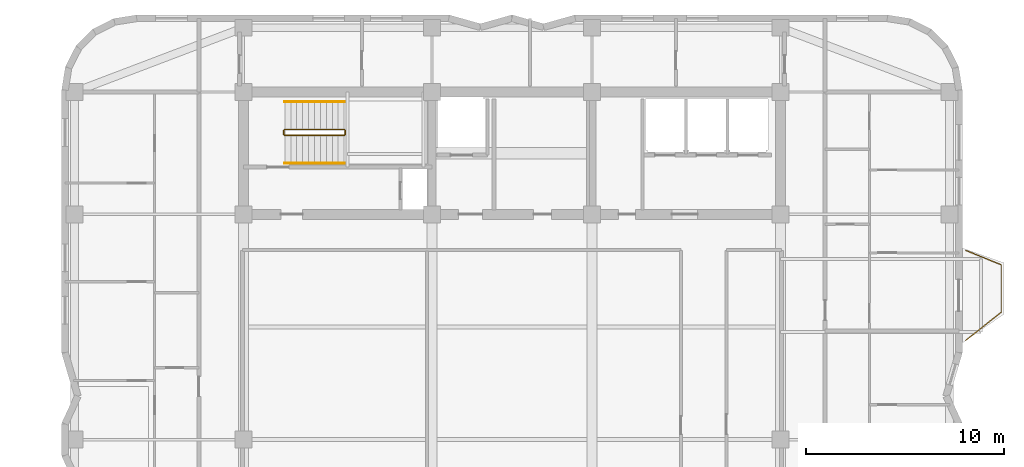
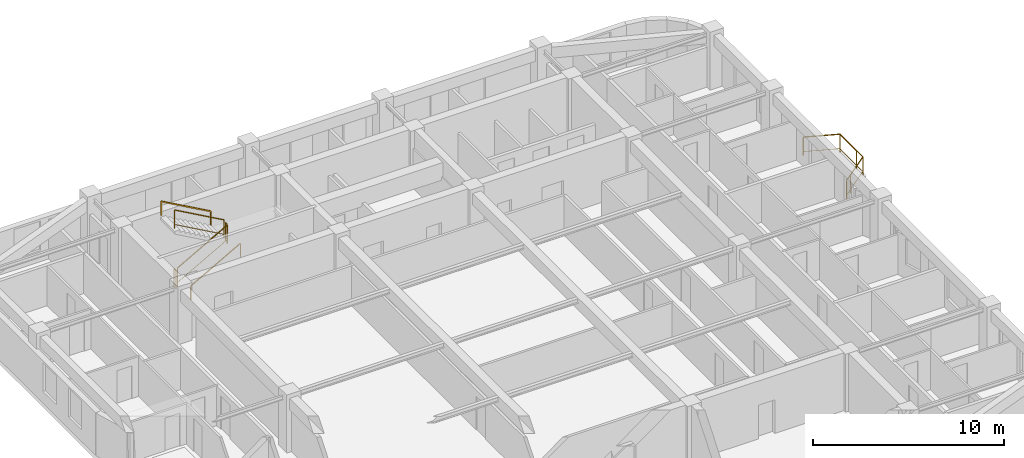
# One storey, part 9 of 9: 7 railings.
"""IFC4 building model written with IfcOpenShell, lengths in metres."""

from ifc_helpers import new_model, si_unit, direction, frame, origin, origin_2d, place, context, subcontext, project, spatial, rectangle, extrude, material, type_object, element, save


model = new_model("IFC4")

# Units and contexts
model_context = context("Model", 3, precision=1e-05, world=origin(), true_north=direction((0.0, 1.0)))
body_context = subcontext(model_context, "Body", "Model", "MODEL_VIEW")
ifc_project = project(units=[si_unit("LENGTHUNIT", "METRE"), si_unit("AREAUNIT", "SQUARE_METRE"), si_unit("VOLUMEUNIT", "CUBIC_METRE"), si_unit("PLANEANGLEUNIT", "RADIAN"), si_unit("MASSUNIT", "GRAM", prefix="KILO")], contexts=[model_context])

# Site, building, storey
site_placement = place(None, origin())
site = spatial("IfcSite", under=ifc_project, at=site_placement, CompositionType="ELEMENT")
building_placement = place(site_placement, origin())
building = spatial("IfcBuilding", under=site, at=building_placement, Name="Svetorya Sky Lyceum", CompositionType="ELEMENT")
storey_placement = place(building_placement, frame((0.0, 0.0, 214.699951171875)))
storey = spatial("IfcBuildingStorey", under=building, at=storey_placement, Name="L53", CompositionType="ELEMENT", Elevation=214.699951171875)

# Railings
ifc_material_1 = material(Name="Laminated safety glass and stainless AISI 316", Category="glass")
railing_type_1 = type_object("IfcRailingType", Name="RL-BAL-1200", PredefinedType="BALUSTRADE", material=ifc_material_1)
railing_1_placement = place(storey_placement, frame((62.169921875, 37.780029296875, 0.0)))
element("IfcRailing", 1, at=railing_1_placement, inside=storey, type_object=railing_type_1, Name="L53 Balcony Balustrade BAL-E1", PredefinedType="BALUSTRADE", context=body_context, shape_type="SweptSolid", body=[
    extrude(rectangle(XDim=0.048095703125, YDim=0.048095703125, at=origin_2d()), frame((0.0, 0.0, 1.17578125), z_axis=(0.926697865975, -0.375807218129, 0.0), x_axis=(0.375807218129, 0.926697865975, 0.0)), (0.0, 0.0, 1.0), 1.9423828125),
    extrude(rectangle(XDim=0.02392578125, YDim=0.02392578125, at=origin_2d()), frame((0.0, 0.0, 0.25), z_axis=(0.926697865975, -0.375807218129, 0.0), x_axis=(0.375807218129, 0.926697865975, 0.0)), (0.0, 0.0, 1.0), 1.9423828125),
    extrude(rectangle(XDim=0.048095703125, YDim=0.048095703125, at=origin_2d()), frame((1.800048828125, -0.72998046875, 1.17578125), z_axis=(0.0, -1.0, 0.0), x_axis=(1.0, 0.0, 0.0)), (0.0, 0.0, 1.0), 2.400146484375),
    extrude(rectangle(XDim=0.02392578125, YDim=0.02392578125, at=origin_2d()), frame((1.800048828125, -0.72998046875, 0.25), z_axis=(0.0, -1.0, 0.0), x_axis=(1.0, 0.0, 0.0)), (0.0, 0.0, 1.0), 2.400146484375),
    extrude(rectangle(XDim=0.048095703125, YDim=0.048095703125, at=origin_2d()), frame((1.800048828125, -3.130126953125, 1.17578125), z_axis=(-0.783008919264, -0.622010476079, 0.0), x_axis=(0.622010476079, -0.783008919264, 0.0)), (0.0, 0.0, 1.0), 2.298828125),
    extrude(rectangle(XDim=0.02392578125, YDim=0.02392578125, at=origin_2d()), frame((1.800048828125, -3.130126953125, 0.25), z_axis=(-0.783008919264, -0.622010476079, 0.0), x_axis=(0.622010476079, -0.783008919264, 0.0)), (0.0, 0.0, 1.0), 2.298828125),
    extrude(rectangle(XDim=0.0419921875, YDim=0.0419921875, at=origin_2d()), origin(), (0.0, 0.0, 1.0), 1.15185546875),
    extrude(rectangle(XDim=0.0419921875, YDim=0.0419921875, at=origin_2d()), frame((1.800048828125, -0.72998046875, 0.0)), (0.0, 0.0, 1.0), 1.15185546875),
    extrude(rectangle(XDim=0.0419921875, YDim=0.0419921875, at=origin_2d()), frame((1.800048828125, -2.47998046875, 0.0)), (0.0, 0.0, 1.0), 1.15185546875),
    extrude(rectangle(XDim=0.0419921875, YDim=0.0419921875, at=origin_2d()), frame((1.800048828125, -3.130126953125, 0.0)), (0.0, 0.0, 1.0), 1.15185546875),
    extrude(rectangle(XDim=0.0419921875, YDim=0.0419921875, at=origin_2d()), frame((0.4296875, -4.21875, 0.0)), (0.0, 0.0, 1.0), 1.15185546875),
    extrude(rectangle(XDim=0.0419921875, YDim=0.0419921875, at=origin_2d()), frame((0.0, -4.56005859375, 0.0)), (0.0, 0.0, 1.0), 1.15185546875),
])
ifc_material_2 = material(Name="Painted galvanized stair well guard")
railing_type_2 = type_object("IfcRailingType", Name="RL-STR-GUARD-1200", PredefinedType="GUARDRAIL", material=ifc_material_2)
railing_2_placement = place(storey_placement, frame((27.699951171875, 43.60009765625, 0.168212890625)))
element("IfcRailing", 2, at=railing_2_placement, inside=storey, type_object=railing_type_2, Name="L53 ST-N stair guard 1", PredefinedType="GUARDRAIL", context=body_context, shape_type="SweptSolid", body=[
    extrude(rectangle(XDim=0.048095703125, YDim=0.048095703125, at=origin_2d()), frame((0.0, 0.0, 1.17578125), z_axis=(0.872272294576, 0.0, 0.489020494575), x_axis=(0.0, 1.0, 0.0)), (0.0, 0.0, 1.0), 3.439208984375),
    extrude(rectangle(XDim=0.02392578125, YDim=0.02392578125, at=origin_2d()), frame((0.0, 0.0, 0.25), z_axis=(0.872272294576, 0.0, 0.489020494575), x_axis=(0.0, 1.0, 0.0)), (0.0, 0.0, 1.0), 3.439208984375),
    extrude(rectangle(XDim=0.0419921875, YDim=0.0419921875, at=origin_2d()), origin(), (0.0, 0.0, 1.0), 1.15185546875),
    extrude(rectangle(XDim=0.0419921875, YDim=0.0419921875, at=origin_2d()), frame((3.0, 0.0, 1.681884765625)), (0.0, 0.0, 1.0), 1.15185546875),
])
railing_3_placement = place(storey_placement, frame((30.75, 43.64990234375, 1.85009765625)))
element("IfcRailing", 3, at=railing_3_placement, inside=storey, type_object=railing_type_2, Name="L53 ST-N stair guard 2", PredefinedType="GUARDRAIL", context=body_context, shape_type="SweptSolid", body=[
    extrude(rectangle(XDim=0.048095703125, YDim=0.048095703125, at=origin_2d()), frame((0.0, 0.0, 1.17578125), z_axis=(0.0, 1.0, 0.0), x_axis=(-1.0, 0.0, 0.0)), (0.0, 0.0, 1.0), 0.2001953125),
    extrude(rectangle(XDim=0.02392578125, YDim=0.02392578125, at=origin_2d()), frame((0.0, 0.0, 0.25), z_axis=(0.0, 1.0, 0.0), x_axis=(-1.0, 0.0, 0.0)), (0.0, 0.0, 1.0), 0.2001953125),
    extrude(rectangle(XDim=0.0419921875, YDim=0.0419921875, at=origin_2d()), origin(), (0.0, 0.0, 1.0), 1.15185546875),
    extrude(rectangle(XDim=0.0419921875, YDim=0.0419921875, at=origin_2d()), frame((0.0, 0.2001953125, 0.0)), (0.0, 0.0, 1.0), 1.15185546875),
])
railing_4_placement = place(storey_placement, frame((30.699951171875, 43.89990234375, 2.018310546875)))
element("IfcRailing", 4, at=railing_4_placement, inside=storey, type_object=railing_type_2, Name="L53 ST-N stair guard 3", PredefinedType="GUARDRAIL", context=body_context, shape_type="SweptSolid", body=[
    extrude(rectangle(XDim=0.048095703125, YDim=0.048095703125, at=origin_2d()), frame((0.0, 0.0, 1.17578125), z_axis=(-0.872302573547, 0.0, 0.488966481656), x_axis=(0.0, -1.0, 0.0)), (0.0, 0.0, 1.0), 3.439208984375),
    extrude(rectangle(XDim=0.02392578125, YDim=0.02392578125, at=origin_2d()), frame((0.0, 0.0, 0.25), z_axis=(-0.872302573547, 0.0, 0.488966481656), x_axis=(0.0, -1.0, 0.0)), (0.0, 0.0, 1.0), 3.439208984375),
    extrude(rectangle(XDim=0.0419921875, YDim=0.0419921875, at=origin_2d()), origin(), (0.0, 0.0, 1.0), 1.15185546875),
    extrude(rectangle(XDim=0.0419921875, YDim=0.0419921875, at=origin_2d()), frame((-3.0, 0.0, 1.681640625)), (0.0, 0.0, 1.0), 1.15185546875),
])
railing_5_placement = place(storey_placement, frame((27.64990234375, 43.64990234375, 0.0)))
element("IfcRailing", 5, at=railing_5_placement, inside=storey, type_object=railing_type_2, Name="L53 ST-N stair guard 4", PredefinedType="GUARDRAIL", context=body_context, shape_type="SweptSolid", body=[
    extrude(rectangle(XDim=0.048095703125, YDim=0.048095703125, at=origin_2d()), frame((0.0, 0.0, 1.17578125), z_axis=(0.0, 1.0, 0.0), x_axis=(-1.0, 0.0, 0.0)), (0.0, 0.0, 1.0), 0.2001953125),
    extrude(rectangle(XDim=0.02392578125, YDim=0.02392578125, at=origin_2d()), frame((0.0, 0.0, 0.25), z_axis=(0.0, 1.0, 0.0), x_axis=(-1.0, 0.0, 0.0)), (0.0, 0.0, 1.0), 0.2001953125),
    extrude(rectangle(XDim=0.0419921875, YDim=0.0419921875, at=origin_2d()), origin(), (0.0, 0.0, 1.0), 1.15185546875),
    extrude(rectangle(XDim=0.0419921875, YDim=0.0419921875, at=origin_2d()), frame((0.0, 0.2001953125, 0.0)), (0.0, 0.0, 1.0), 1.15185546875),
])
ifc_material_3 = material(Name="Brushed stainless AISI 304 stair handrail")
railing_type_3 = type_object("IfcRailingType", Name="RL-STR-HAND-920", PredefinedType="HANDRAIL", material=ifc_material_3)
railing_6_placement = place(storey_placement, frame((27.699951171875, 42.199951171875, 0.168212890625)))
element("IfcRailing", 6, at=railing_6_placement, inside=storey, type_object=railing_type_3, Name="L53 ST-N stair handrail 1", PredefinedType="HANDRAIL", context=body_context, shape_type="SweptSolid", body=[
    extrude(rectangle(XDim=0.048095703125, YDim=0.048095703125, at=origin_2d()), frame((0.0, 0.0, 0.8759765625), z_axis=(0.872272294576, 0.0, 0.489020494575), x_axis=(0.0, 1.0, 0.0)), (0.0, 0.0, 1.0), 3.439208984375),
    extrude(rectangle(XDim=0.0419921875, YDim=0.0419921875, at=origin_2d()), origin(), (0.0, 0.0, 1.0), 0.851806640625),
    extrude(rectangle(XDim=0.0419921875, YDim=0.0419921875, at=origin_2d()), frame((3.0, 0.0, 1.681884765625)), (0.0, 0.0, 1.0), 0.851806640625),
])
railing_7_placement = place(storey_placement, frame((30.699951171875, 45.300048828125, 2.018310546875)))
element("IfcRailing", 7, at=railing_7_placement, inside=storey, type_object=railing_type_3, Name="L53 ST-N stair handrail 2", PredefinedType="HANDRAIL", context=body_context, shape_type="SweptSolid", body=[
    extrude(rectangle(XDim=0.048095703125, YDim=0.048095703125, at=origin_2d()), frame((0.0, 0.0, 0.8759765625), z_axis=(-0.872302573547, 0.0, 0.488966481656), x_axis=(0.0, -1.0, 0.0)), (0.0, 0.0, 1.0), 3.439208984375),
    extrude(rectangle(XDim=0.0419921875, YDim=0.0419921875, at=origin_2d()), origin(), (0.0, 0.0, 1.0), 0.851806640625),
    extrude(rectangle(XDim=0.0419921875, YDim=0.0419921875, at=origin_2d()), frame((-3.0, 0.0, 1.681640625)), (0.0, 0.0, 1.0), 0.851806640625),
])

save(model, "model.ifc")
